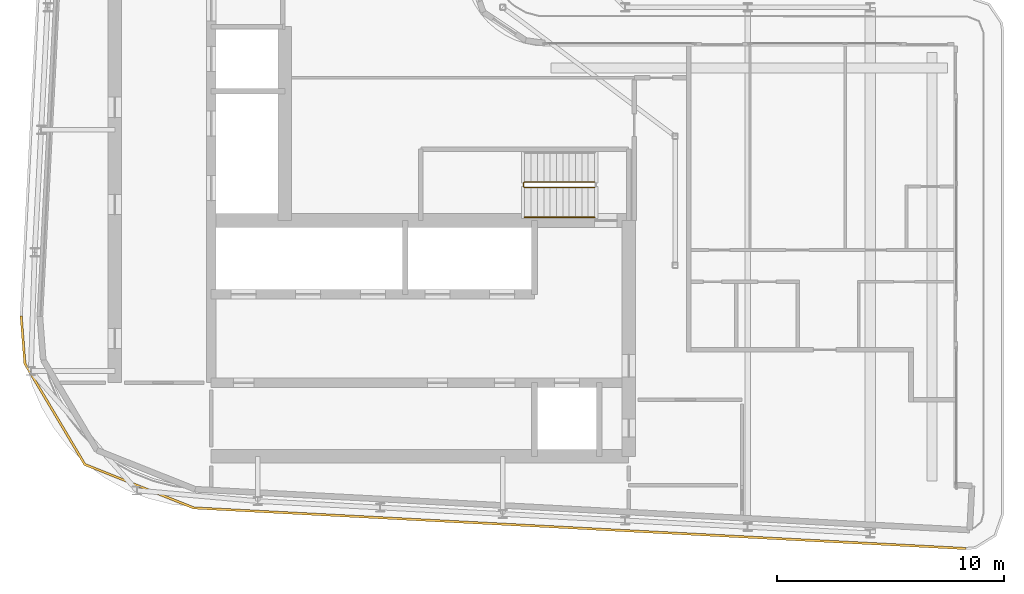
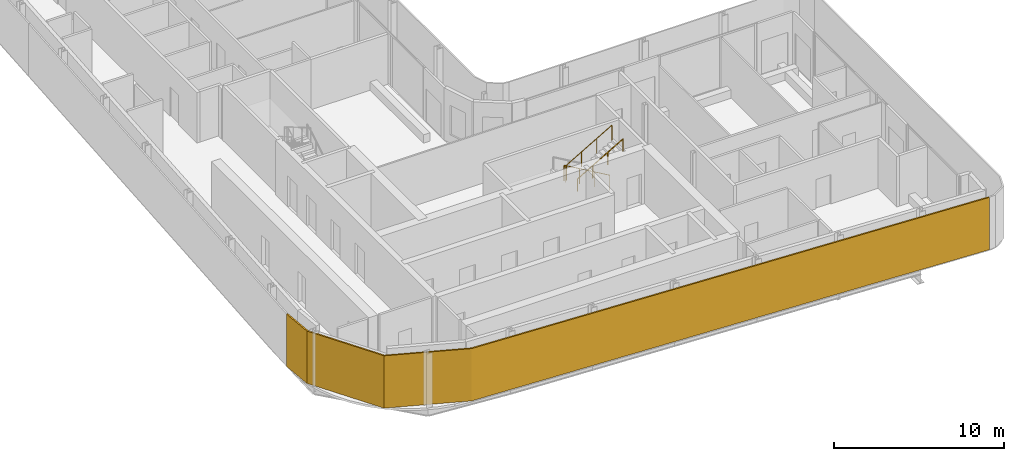
# One storey, part 16 of 21: 2 railings, 1 shading device.
"""IFC4 building model written with IfcOpenShell, lengths in metres."""

import ifcopenshell
import ifcopenshell.guid

model = None  # the IFC model being written
_history = None  # IfcOwnerHistory: only IFC2X3 demands one
_inside = {}  # id of a spatial element -> (the spatial element, [elements in it])
_under = {}  # id of a project, library or spatial element -> (it, [spatial elements below it])
_declared = {}  # id of a project -> (the project, [libraries it declares])
_typed = {}  # id of a type object -> (the type object, [elements of that type])
_made_of = {}  # id of a material, layer set ... -> (it, [elements and type objects made of it])


def new_model(schema):
    """Start an empty IFC model of exactly this schema.

    Asked for "IFC4X3", IfcOpenShell would pick the latest addendum, in which some entities
    have other attributes; the version numbers below select the first issue.
    IFC2X3 requires an IfcOwnerHistory on every rooted entity: one is made here for all.
    """
    global model, _history
    if schema == "IFC4X3":
        model = ifcopenshell.file(schema_version=(4, 3, 0, 0))
    else:
        model = ifcopenshell.file(schema=schema)
    _inside.clear()
    _under.clear()
    _declared.clear()
    _typed.clear()
    _made_of.clear()
    _history = None
    if model.schema == "IFC2X3":
        org = make("IfcOrganization", Name="unknown")
        user = make(
            "IfcPersonAndOrganization",
            ThePerson=make("IfcPerson", FamilyName="unknown"),
            TheOrganization=org,
        )
        app = make(
            "IfcApplication",
            ApplicationDeveloper=org,
            Version="unknown",
            ApplicationFullName="unknown",
            ApplicationIdentifier="unknown",
        )
        _history = make(
            "IfcOwnerHistory",
            OwningUser=user,
            OwningApplication=app,
            ChangeAction="ADDED",
            CreationDate=0,
        )
    return model


def make(cls, **values):
    """One entity of the class cls with the attributes given. An attribute that is None is left unset."""
    return model.create_entity(
        cls, **{name: value for name, value in values.items() if value is not None}
    )


def rooted(cls, **values):
    """An entity with a GlobalId (a new one), such as an element, a storey or a relation."""
    return make(cls, GlobalId=ifcopenshell.guid.new(), OwnerHistory=_history, **values)


def si_unit(unit_type, name, prefix=None):
    """IfcSIUnit, for example si_unit("LENGTHUNIT", "METRE", prefix="MILLI")."""
    return make("IfcSIUnit", UnitType=unit_type, Prefix=prefix, Name=name)


def assignment(units):
    """IfcUnitAssignment: the units of a project."""
    return None if units is None else make("IfcUnitAssignment", Units=units)


def point(xyz):
    """IfcCartesianPoint."""
    return None if xyz is None else make("IfcCartesianPoint", Coordinates=xyz)


def direction(xyz):
    """IfcDirection."""
    return None if xyz is None else make("IfcDirection", DirectionRatios=xyz)


def frame(location, z_axis=None, x_axis=None):
    """IfcAxis2Placement3D, a coordinate frame: its origin and axes. An axis left out is left unset."""
    return make(
        "IfcAxis2Placement3D",
        Location=point(location),
        Axis=direction(z_axis),
        RefDirection=direction(x_axis),
    )


def frame_2d(location, x_axis=None):
    """IfcAxis2Placement2D, a coordinate frame in the plane: its origin and x axis."""
    return make(
        "IfcAxis2Placement2D", Location=point(location), RefDirection=direction(x_axis)
    )


def origin():
    """The frame at (0, 0, 0) with its axes left unset."""
    return frame((0.0, 0.0, 0.0))


def origin_2d():
    """The frame at (0, 0) in the plane with its x axis left unset."""
    return frame_2d((0.0, 0.0))


def place(relative_to, where):
    """IfcLocalPlacement: puts the frame where relative to a parent placement (None: the world)."""
    return make(
        "IfcLocalPlacement", PlacementRelTo=relative_to, RelativePlacement=where
    )


def context(
    kind, dimensions, precision=None, world=None, true_north=None, identifier=None
):
    """IfcGeometricRepresentationContext, for example the 3D "Model" context."""
    return make(
        "IfcGeometricRepresentationContext",
        ContextIdentifier=identifier,
        ContextType=kind,
        CoordinateSpaceDimension=dimensions,
        Precision=precision,
        WorldCoordinateSystem=world,
        TrueNorth=true_north,
    )


def subcontext(parent, identifier, kind, view, scale=None):
    """IfcGeometricRepresentationSubContext, for example "Body" below "Model"."""
    return make(
        "IfcGeometricRepresentationSubContext",
        ContextIdentifier=identifier,
        ContextType=kind,
        ParentContext=parent,
        TargetScale=scale,
        TargetView=view,
    )


def project(units=None, contexts=None):
    """IfcProject with its units and contexts."""
    return rooted(
        "IfcProject",
        Name="project",
        RepresentationContexts=contexts,
        UnitsInContext=assignment(units),
    )


def spatial(cls, under=None, at=None, **own):
    """A site, building, storey or space (cls), placed at a placement, below another one or the project."""
    s = rooted(cls, ObjectPlacement=at, **own)
    if under is not None:
        _under.setdefault(under.id(), (under, []))[1].append(s)
    return s


def polyline(points):
    """IfcPolyline through the points."""
    return make("IfcPolyline", Points=[point(p) for p in points])


def profile(cls, at=None, kind="AREA", **sizes):
    """A parametric profile (cls). Its sizes go by their IFC names, for example OverallWidth=200.0."""
    return make(cls, ProfileType=kind, Position=at, **sizes)


def circle(**sizes):
    """IfcCircleProfileDef."""
    return profile("IfcCircleProfileDef", **sizes)


def outline(outer, holes=None, kind="AREA"):
    """IfcArbitraryClosedProfileDef: a profile drawn as a closed curve; with holes, ...WithVoids."""
    if holes is None:
        return make("IfcArbitraryClosedProfileDef", ProfileType=kind, OuterCurve=outer)
    return make(
        "IfcArbitraryProfileDefWithVoids",
        ProfileType=kind,
        OuterCurve=outer,
        InnerCurves=holes,
    )


def extrude(swept, where, along, depth):
    """IfcExtrudedAreaSolid: the profile swept, set in the frame where, extruded along a direction by depth."""
    return make(
        "IfcExtrudedAreaSolid",
        SweptArea=swept,
        Position=where,
        ExtrudedDirection=direction(along),
        Depth=depth,
    )


def shape(context_of_items, identifier, shape_type, items):
    """IfcShapeRepresentation: the items that make up one representation, for example the "Body"."""
    return make(
        "IfcShapeRepresentation",
        ContextOfItems=context_of_items,
        RepresentationIdentifier=identifier,
        RepresentationType=shape_type,
        Items=items,
    )


def material(Name=None, Category=None):
    """IfcMaterial."""
    return make("IfcMaterial", Name=Name, Category=Category)


def layer(
    of_material, thickness, ventilated=None, Name=None, Category=None, Priority=None
):
    """IfcMaterialLayer: one layer of a wall or slab, of a material (None: an air gap)."""
    return make(
        "IfcMaterialLayer",
        Material=of_material,
        LayerThickness=thickness,
        IsVentilated=ventilated,
        Name=Name,
        Category=Category,
        Priority=Priority,
    )


def layer_set(layers, Name=None):
    """IfcMaterialLayerSet."""
    return make("IfcMaterialLayerSet", MaterialLayers=layers, LayerSetName=Name)


def made_of(thing, what):
    """Note that an element or type object is made of a material, layer set ...; save() writes the relation."""
    if what is not None:
        _made_of.setdefault(what.id(), (what, []))[1].append(thing)
    return thing


def type_object(cls, material=None, **own):
    """A type object (cls), such as IfcWallType, which elements share."""
    return made_of(rooted(cls, **own), material)


def element(
    cls,
    number,
    at=None,
    inside=None,
    cuts=None,
    type_object=None,
    material=None,
    context=None,
    identifier="Body",
    shape_type=None,
    held_by="IfcProductDefinitionShape",
    body=None,
    shapes=None,
    **own,
):
    """One element of the class cls, such as IfcWall. Its Tag is "e" and its number.

    at: its placement. inside: the storey or other place that contains it. cuts: it is an
    opening in that element (IfcRelVoidsElement). A single representation is given by context,
    identifier, shape_type and body (its items); several are given by shapes. held_by: the class
    of the entity that holds the representations. save() writes the other relations.
    """
    e = rooted(cls, Tag="e%d" % number, ObjectPlacement=at, **own)
    if body is not None:
        shapes = [shape(context, identifier, shape_type, body)]
    if shapes is not None:
        e.Representation = make(held_by, Representations=shapes)
    if inside is not None:
        _inside.setdefault(inside.id(), (inside, []))[1].append(e)
    if cuts is not None:
        rooted(
            "IfcRelVoidsElement", RelatingBuildingElement=cuts, RelatedOpeningElement=e
        )
    if type_object is not None:
        _typed.setdefault(type_object.id(), (type_object, []))[1].append(e)
    return made_of(e, material)


def aggregate(whole, parts):
    """IfcRelAggregates: a whole, such as a stair, and the parts it consists of."""
    return rooted("IfcRelAggregates", RelatingObject=whole, RelatedObjects=parts)


def save(model, path):
    """Write the relations noted so far, then the file.

    IfcRelAggregates (storeys below a building ...), IfcRelContainedInSpatialStructure (elements
    in a storey), IfcRelDefinesByType, IfcRelAssociatesMaterial and IfcRelDeclares: one each for
    every whole, place, type object, material and project.
    """
    for whole, parts in _under.values():
        aggregate(whole, parts)
    for where, things in _inside.values():
        rooted(
            "IfcRelContainedInSpatialStructure",
            RelatedElements=things,
            RelatingStructure=where,
        )
    for kind, things in _typed.values():
        rooted("IfcRelDefinesByType", RelatedObjects=things, RelatingType=kind)
    for what, things in _made_of.values():
        rooted("IfcRelAssociatesMaterial", RelatedObjects=things, RelatingMaterial=what)
    for by, libraries in _declared.values():
        rooted("IfcRelDeclares", RelatingContext=by, RelatedDefinitions=libraries)
    model.write(path)


model = new_model("IFC4")

# Units and contexts
model_context = context("Model", 3, precision=1e-05, world=origin(), true_north=direction((0.0, 1.0)))
body_context = subcontext(model_context, "Body", "Model", "MODEL_VIEW")
ifc_project = project(units=[si_unit("LENGTHUNIT", "METRE"), si_unit("AREAUNIT", "SQUARE_METRE"), si_unit("VOLUMEUNIT", "CUBIC_METRE"), si_unit("PLANEANGLEUNIT", "RADIAN"), si_unit("MASSUNIT", "GRAM", prefix="KILO")], contexts=[model_context])

# Site, building, storey
site_placement = place(None, origin())
site = spatial("IfcSite", under=ifc_project, at=site_placement, CompositionType="ELEMENT")
building_placement = place(site_placement, origin())
building = spatial("IfcBuilding", under=site, at=building_placement, Name="Kheshtan School and Residences Tower", CompositionType="ELEMENT")
storey_placement = place(building_placement, frame((0.0, 0.0, 313.699951171875)))
storey = spatial("IfcBuildingStorey", under=building, at=storey_placement, Name="L74", CompositionType="ELEMENT", Elevation=313.699951171875)

# Shading device
ifc_material_1 = material(Name="Terracotta baguette, extruded ceramic", Category="masonry")
ifc_layer = layer(ifc_material_1, 0.10009765625)
ifc_layer_set = layer_set([ifc_layer], Name="Ledge screen, terracotta baguettes")
shading_device_type = type_object("IfcShadingDeviceType", Name="Ledge screen, terracotta baguettes", PredefinedType="USERDEFINED", material=ifc_layer_set)
shading_device_placement = place(storey_placement, origin())
element("IfcShadingDevice", 1, at=shading_device_placement, inside=storey, type_object=shading_device_type, Name="Screen L74 3", ObjectType="BAGUETTE", PredefinedType="USERDEFINED", context=body_context, shape_type="SweptSolid", body=[
    extrude(outline(polyline([(68.02099609375, 21.7880859375), (33.989013671875, 23.580078125), (29.2119140625, 25.486083984375), (26.583984375, 29.906982421875), (26.419921875, 31.989013671875), (26.320068359375, 31.98095703125), (26.486083984375, 29.8759765625), (29.14306640625, 25.406005859375), (33.967041015625, 23.48095703125), (68.01611328125, 21.68798828125), (68.02099609375, 21.7880859375)])), origin(), (0.0, 0.0, 1.0), 3.75),
])

# Railings
ifc_material_2 = material(Name="Stainless steel balustrade", Category="steel")
railing_type_1 = type_object("IfcRailingType", Name="Stair guard 1100", PredefinedType="GUARDRAIL", material=ifc_material_2)
railing_1_placement = place(storey_placement, frame((51.64990234375, 37.89990234375, 0.16259765625)))
element("IfcRailing", 2, at=railing_1_placement, inside=storey, type_object=railing_type_1, Name="L74 ST1 stair guard 1", PredefinedType="GUARDRAIL", context=body_context, shape_type="SweptSolid", body=[
    extrude(circle(Radius=0.02392578125, at=origin_2d()), frame((0.0, 0.0, 1.076171875), z_axis=(-0.864903211148, 0.0, 0.501938676878), x_axis=(0.0, -1.0, 0.0)), (0.0, 0.0, 1.0), 3.560791015625),
    extrude(circle(Radius=0.02392578125, at=origin_2d()), frame((-3.079833984375, 0.0, 2.86328125), z_axis=(-0.708833529934, -0.705375805398, 0.0), x_axis=(0.705375805398, -0.708833529934, 0.0)), (0.0, 0.0, 1.0), 0.070556640625),
    extrude(circle(Radius=0.02392578125, at=origin_2d()), frame((-3.1298828125, -0.0498046875, 2.86328125), z_axis=(0.0, -1.0, 0.0), x_axis=(1.0, 0.0, 0.0)), (0.0, 0.0, 1.0), 0.150146484375),
    extrude(circle(Radius=0.02392578125, at=origin_2d()), frame((-3.1298828125, -0.199951171875, 2.86328125), z_axis=(0.282227285176, -0.282227285176, 0.916894497205), x_axis=(0.707106781187, 0.707106781187, 0.0)), (0.0, 0.0, 1.0), 0.17724609375),
    extrude(circle(Radius=0.02392578125, at=origin_2d()), frame((-3.079833984375, -0.25, 3.02587890625), z_axis=(0.864873446163, 0.0, 0.501989962173), x_axis=(0.0, 1.0, 0.0)), (0.0, 0.0, 1.0), 3.56103515625),
    extrude(circle(Radius=0.02099609375, at=origin_2d()), origin(), (0.0, 0.0, 1.0), 1.052001953125),
    extrude(circle(Radius=0.02099609375, at=origin_2d()), frame((-1.026611328125, 0.0, 0.595703125)), (0.0, 0.0, 1.0), 1.052001953125),
    extrude(circle(Radius=0.02099609375, at=origin_2d()), frame((-2.05322265625, 0.0, 1.191650390625)), (0.0, 0.0, 1.0), 1.052001953125),
    extrude(circle(Radius=0.02099609375, at=origin_2d()), frame((-3.079833984375, 0.0, 1.787353515625)), (0.0, 0.0, 1.0), 1.052001953125),
    extrude(circle(Radius=0.02099609375, at=origin_2d()), frame((-3.1298828125, -0.0498046875, 1.787353515625)), (0.0, 0.0, 1.0), 1.052001953125),
    extrude(circle(Radius=0.02099609375, at=origin_2d()), frame((-3.1298828125, -0.199951171875, 1.787353515625)), (0.0, 0.0, 1.0), 1.052001953125),
    extrude(circle(Radius=0.02099609375, at=origin_2d()), frame((-3.079833984375, -0.25, 1.949951171875)), (0.0, 0.0, 1.0), 1.052001953125),
    extrude(circle(Radius=0.02099609375, at=origin_2d()), frame((-2.05322265625, -0.25, 2.5458984375)), (0.0, 0.0, 1.0), 1.052001953125),
    extrude(circle(Radius=0.02099609375, at=origin_2d()), frame((-1.026611328125, -0.25, 3.1416015625)), (0.0, 0.0, 1.0), 1.052001953125),
    extrude(circle(Radius=0.02099609375, at=origin_2d()), frame((0.0, -0.25, 3.737548828125)), (0.0, 0.0, 1.0), 1.052001953125),
])
ifc_material_3 = material(Name="Stainless steel handrail", Category="steel")
railing_type_2 = type_object("IfcRailingType", Name="Stair handrail 900", PredefinedType="HANDRAIL", material=ifc_material_3)
railing_2_placement = place(storey_placement, frame((48.570068359375, 36.35009765625, 2.112548828125)))
element("IfcRailing", 3, at=railing_2_placement, inside=storey, type_object=railing_type_2, Name="L74 ST1 stair handrail 2", PredefinedType="HANDRAIL", context=body_context, shape_type="SweptSolid", body=[
    extrude(circle(Radius=0.02392578125, at=origin_2d()), frame((0.0, 0.0, 0.8759765625), z_axis=(0.864873446163, 0.0, 0.501989962173), x_axis=(0.0, 1.0, 0.0)), (0.0, 0.0, 1.0), 3.56103515625),
    extrude(circle(Radius=0.02099609375, at=origin_2d()), origin(), (0.0, 0.0, 1.0), 0.851806640625),
    extrude(circle(Radius=0.02099609375, at=origin_2d()), frame((1.026611328125, 0.0, 0.595947265625)), (0.0, 0.0, 1.0), 0.851806640625),
    extrude(circle(Radius=0.02099609375, at=origin_2d()), frame((2.05322265625, 0.0, 1.191650390625)), (0.0, 0.0, 1.0), 0.851806640625),
    extrude(circle(Radius=0.02099609375, at=origin_2d()), frame((3.079833984375, 0.0, 1.78759765625)), (0.0, 0.0, 1.0), 0.851806640625),
])

save(model, "model.ifc")
